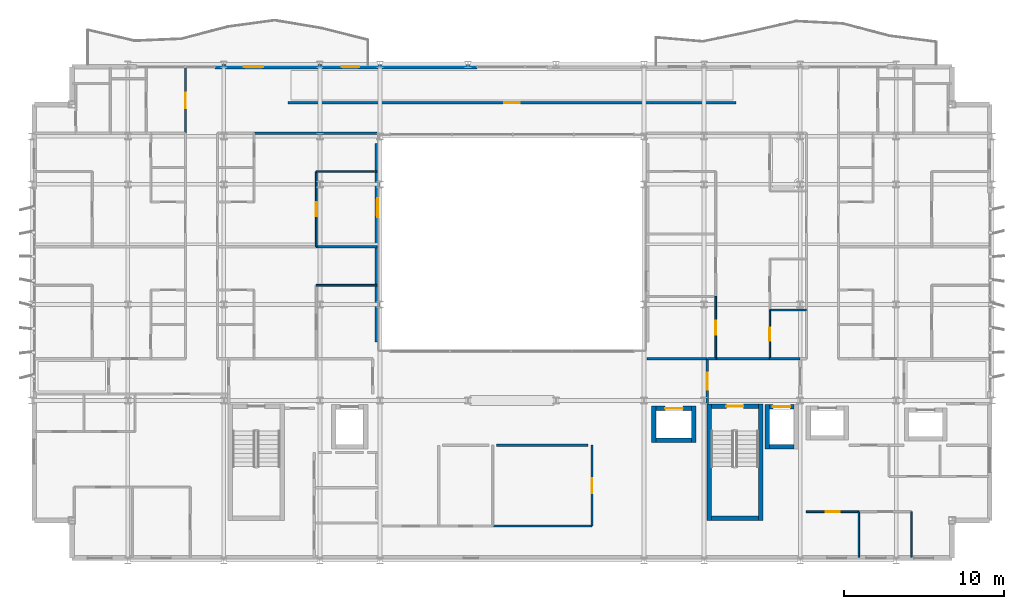
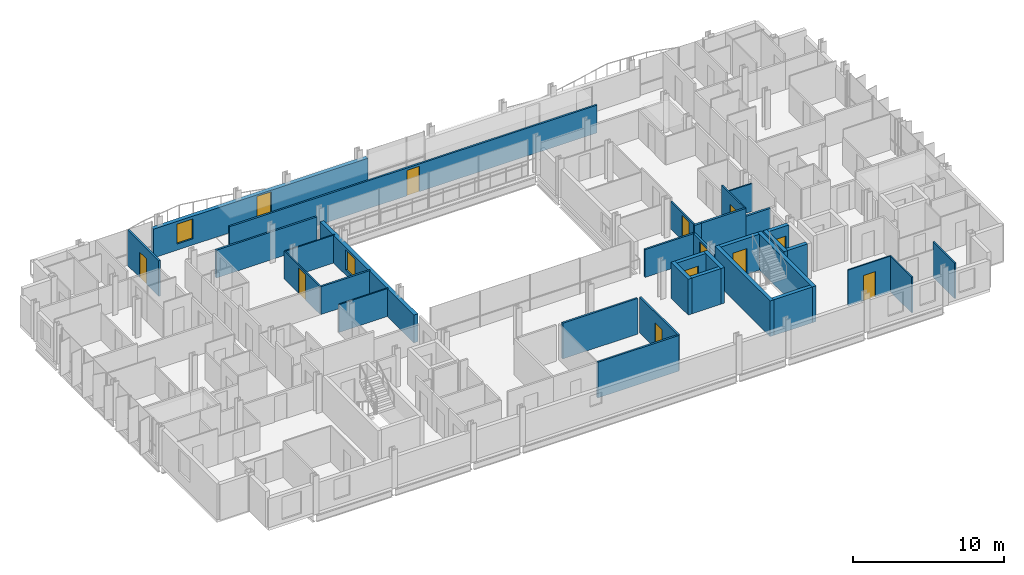
# One storey, part 30 of 39: 34 walls, 12 doors, 2 windows, 14 openings.
"""IFC4 building model written with IfcOpenShell, lengths in metres."""

from ifc_helpers import new_model, si_unit, direction, frame, frame_2d, origin, place, context, subcontext, project, spatial, rectangle, extrude, material, layer, layer_set, type_object, element, fill, save


model = new_model("IFC4")

# Units and contexts
model_context = context("Model", 3, precision=1e-05, world=origin(), true_north=direction((0.0, 1.0)))
body_context = subcontext(model_context, "Body", "Model", "MODEL_VIEW")
ifc_project = project(units=[si_unit("LENGTHUNIT", "METRE"), si_unit("AREAUNIT", "SQUARE_METRE"), si_unit("VOLUMEUNIT", "CUBIC_METRE"), si_unit("PLANEANGLEUNIT", "RADIAN"), si_unit("MASSUNIT", "GRAM", prefix="KILO")], contexts=[model_context])

# Site, building, storey
site_placement = place(None, origin())
site = spatial("IfcSite", under=ifc_project, at=site_placement, CompositionType="ELEMENT")
building_placement = place(site_placement, origin())
building = spatial("IfcBuilding", under=site, at=building_placement, Name="Brevholm Reach", CompositionType="ELEMENT")
storey_placement = place(building_placement, frame((0.0, 0.0, 109.699951171875)))
storey = spatial("IfcBuildingStorey", under=building, at=storey_placement, Name="L32", CompositionType="ELEMENT", Elevation=109.699951171875)

# Walls
ifc_material_1 = material(Name="Concrete C50/60", Category="concrete")
ifc_layer_1 = layer(ifc_material_1, 0.280029296875)
ifc_layer_set_1 = layer_set([ifc_layer_1], Name="Concrete C50/60")
wall_type_1 = type_object("IfcWallType", Name="WAL-COR-280", PredefinedType="SHEAR", material=ifc_layer_set_1)
for number, where, z_axis, x_axis, name in (
    (1, (42.31005859375, 2.5, 0.0), (0.0, 0.0, 1.0), (0.0, 1.0, 0.0), "L32 Escape Stair ST-2 Core Wall W"),
    (2, (45.5400390625, 2.5, 0.0), (0.0, 0.0, 1.0), (0.0, 1.0, 0.0), "L32 Escape Stair ST-2 Core Wall E"),
):
    element("IfcWall", number, at=place(storey_placement, frame(where, z_axis=z_axis, x_axis=x_axis)), inside=storey, type_object=wall_type_1, Name=name, PredefinedType="SHEAR", context=body_context, shape_type="SweptSolid", body=[
        extrude(rectangle(XDim=7.280029296875, YDim=0.280029296875, at=frame_2d((3.64013671875, 0.0))), origin(), (0.0, 0.0, 1.0), 2.880126953125),
    ])
wall_1_placement = place(storey_placement, frame((42.449951171875, 2.639892578125, 0.0), z_axis=(0.0, 0.0, 1.0), x_axis=(1.0, 0.0, 0.0)))
element("IfcWall", 3, at=wall_1_placement, inside=storey, type_object=wall_type_1, Name="L32 Escape Stair ST-2 Core Wall S", PredefinedType="SHEAR", context=body_context, shape_type="SweptSolid", body=[
    extrude(rectangle(XDim=2.949951171875, YDim=0.280029296875, at=frame_2d((1.47509765625, 0.0))), origin(), (0.0, 0.0, 1.0), 2.880126953125),
])

# Wall, opening, door
wall_2_placement = place(storey_placement, frame((45.39990234375, 9.639892578125, 0.0), z_axis=(0.0, 0.0, 1.0), x_axis=(-1.0, 0.0, 0.0)))
wall_2 = element("IfcWall", 4, at=wall_2_placement, inside=storey, type_object=wall_type_1, Name="L32 Escape Stair ST-2 Core Wall N", PredefinedType="SHEAR", context=body_context, shape_type="SweptSolid", body=[
    extrude(rectangle(XDim=2.949951171875, YDim=0.280029296875, at=frame_2d((1.47509765625, 0.0))), origin(), (0.0, 0.0, 1.0), 2.880126953125),
])
opening_1_placement = place(wall_2_placement, frame((0.949951171875, 0.0, 0.0)))
opening_1 = element("IfcOpeningElement", 5, at=opening_1_placement, cuts=wall_2, Name="Opening SD-ST-2", PredefinedType="OPENING", context=body_context, shape_type="SweptSolid", body=[
    extrude(rectangle(XDim=1.050048828125, YDim=2.06005859375, at=frame_2d((0.52490234375, 1.030029296875))), frame((0.0, 0.14990234375, 0.0), z_axis=(0.0, -1.0, 0.0), x_axis=(1.0, 0.0, 0.0)), (0.0, 0.0, 1.0), 0.300048828125),
])
ifc_material_2 = material(Name="Hardwood-Lipped Steel-Core Fire and Smoke Door", Category="steel")
door_type_1 = type_object("IfcDoorType", Name="DOR-INT-FD60S", OperationType="NOTDEFINED", PredefinedType="DOOR", material=ifc_material_2)
door_1_placement = place(opening_1_placement, origin())
door_1 = element("IfcDoor", 6, at=door_1_placement, inside=storey, type_object=door_type_1, Name="L32 Protected Stair ST-2 Lobby Door", OperationType="SINGLE_SWING_LEFT", OverallHeight=2.06005859375, OverallWidth=1.050048828125, PredefinedType="DOOR", context=body_context, shape_type="SweptSolid", body=[
    extrude(rectangle(XDim=1.050048828125, YDim=2.06005859375, at=frame_2d((0.52490234375, 1.030029296875))), frame((0.0, 0.02490234375, 0.0), z_axis=(0.0, -1.0, 0.0), x_axis=(1.0, 0.0, 0.0)), (0.0, 0.0, 1.0), 0.050048828125),
])
fill(opening_1, door_1)

# Walls
wall_3_placement = place(storey_placement, frame((45.949951171875, 6.9599609375, 0.0), z_axis=(0.0, 0.0, 1.0), x_axis=(0.0, 1.0, 0.0)))
element("IfcWall", 7, at=wall_3_placement, inside=storey, type_object=wall_type_1, Name="L32 Lift FFL-2 Shaft Wall W", PredefinedType="SHEAR", context=body_context, shape_type="SweptSolid", body=[
    extrude(rectangle(XDim=2.780029296875, YDim=0.280029296875, at=frame_2d((1.39013671875, 0.0))), origin(), (0.0, 0.0, 1.0), 2.880126953125),
])
wall_4_placement = place(storey_placement, frame((46.090087890625, 7.10009765625, 0.0), z_axis=(0.0, 0.0, 1.0), x_axis=(1.0, 0.0, 0.0)))
element("IfcWall", 8, at=wall_4_placement, inside=storey, type_object=wall_type_1, Name="L32 Lift FFL-2 Shaft Wall S", PredefinedType="SHEAR", context=body_context, shape_type="SweptSolid", body=[
    extrude(rectangle(XDim=1.52001953125, YDim=0.280029296875, at=frame_2d((0.760009765625, 0.0))), origin(), (0.0, 0.0, 1.0), 2.880126953125),
])

# Wall, opening, door
wall_5_placement = place(storey_placement, frame((46.090087890625, 9.60009765625, 0.0), z_axis=(0.0, 0.0, 1.0), x_axis=(1.0, 0.0, 0.0)))
wall_5 = element("IfcWall", 9, at=wall_5_placement, inside=storey, type_object=wall_type_1, Name="L32 Lift FFL-2 Shaft Wall N", PredefinedType="SHEAR", context=body_context, shape_type="SweptSolid", body=[
    extrude(rectangle(XDim=1.52001953125, YDim=0.280029296875, at=frame_2d((0.760009765625, 0.0))), origin(), (0.0, 0.0, 1.0), 2.880126953125),
])
opening_2_placement = place(wall_5_placement, frame((0.2099609375, 0.0, 0.0)))
opening_2 = element("IfcOpeningElement", 10, at=opening_2_placement, cuts=wall_5, Name="Opening LD-FFL-2", PredefinedType="OPENING", context=body_context, shape_type="SweptSolid", body=[
    extrude(rectangle(XDim=1.10009765625, YDim=2.06005859375, at=frame_2d((0.550048828125, 1.030029296875))), frame((0.0, 0.14990234375, 0.0), z_axis=(0.0, -1.0, 0.0), x_axis=(1.0, 0.0, 0.0)), (0.0, 0.0, 1.0), 0.300048828125),
])
ifc_material_3 = material(Name="Brushed Stainless Steel Fire-Rated Sliding Lift Door", Category="steel")
door_type_2 = type_object("IfcDoorType", Name="DOR-LFT-1100", OperationType="NOTDEFINED", PredefinedType="DOOR", material=ifc_material_3)
door_2_placement = place(opening_2_placement, origin())
door_2 = element("IfcDoor", 11, at=door_2_placement, inside=storey, type_object=door_type_2, Name="L32 Lift FFL-2 Sliding Landing Door", OperationType="SLIDING_TO_LEFT", OverallHeight=2.06005859375, OverallWidth=1.10009765625, PredefinedType="DOOR", context=body_context, shape_type="SweptSolid", body=[
    extrude(rectangle(XDim=1.10009765625, YDim=2.06005859375, at=frame_2d((0.550048828125, 1.030029296875))), frame((0.0, 0.02490234375, 0.0), z_axis=(0.0, -1.0, 0.0), x_axis=(1.0, 0.0, 0.0)), (0.0, 0.0, 1.0), 0.050048828125),
])
fill(opening_2, door_2)

# Walls
for number, where, z_axis, x_axis, name in (
    (12, (38.8701171875, 7.360107421875, 0.0), (0.0, 0.0, 1.0), (0.0, 1.0, 0.0), "L32 Lift PL-S1 Shaft Wall W"),
    (13, (41.3701171875, 7.360107421875, 0.0), (0.0, 0.0, 1.0), (0.0, 1.0, 0.0), "L32 Lift PL-S1 Shaft Wall E"),
):
    element("IfcWall", number, at=place(storey_placement, frame(where, z_axis=z_axis, x_axis=x_axis)), inside=storey, type_object=wall_type_1, Name=name, PredefinedType="SHEAR", context=body_context, shape_type="SweptSolid", body=[
        extrude(rectangle(XDim=2.27978515625, YDim=0.280029296875, at=frame_2d((1.139892578125, 0.0))), origin(), (0.0, 0.0, 1.0), 2.880126953125),
    ])
wall_6_placement = place(storey_placement, frame((39.010009765625, 7.5, 0.0), z_axis=(0.0, 0.0, 1.0), x_axis=(1.0, 0.0, 0.0)))
element("IfcWall", 14, at=wall_6_placement, inside=storey, type_object=wall_type_1, Name="L32 Lift PL-S1 Shaft Wall S", PredefinedType="SHEAR", context=body_context, shape_type="SweptSolid", body=[
    extrude(rectangle(XDim=2.219970703125, YDim=0.280029296875, at=frame_2d((1.10986328125, 0.0))), origin(), (0.0, 0.0, 1.0), 2.880126953125),
])

# Wall, opening, door
wall_7_placement = place(storey_placement, frame((39.010009765625, 9.5, 0.0), z_axis=(0.0, 0.0, 1.0), x_axis=(1.0, 0.0, 0.0)))
wall_7 = element("IfcWall", 15, at=wall_7_placement, inside=storey, type_object=wall_type_1, Name="L32 Lift PL-S1 Shaft Wall N", PredefinedType="SHEAR", context=body_context, shape_type="SweptSolid", body=[
    extrude(rectangle(XDim=2.219970703125, YDim=0.280029296875, at=frame_2d((1.10986328125, 0.0))), origin(), (0.0, 0.0, 1.0), 2.880126953125),
])
opening_3_placement = place(wall_7_placement, frame((0.56005859375, 0.0, 0.0)))
opening_3 = element("IfcOpeningElement", 16, at=opening_3_placement, cuts=wall_7, Name="Opening LD-PL-S1", PredefinedType="OPENING", context=body_context, shape_type="SweptSolid", body=[
    extrude(rectangle(XDim=1.10009765625, YDim=2.06005859375, at=frame_2d((0.550048828125, 1.030029296875))), frame((0.0, 0.14990234375, 0.0), z_axis=(0.0, -1.0, 0.0), x_axis=(1.0, 0.0, 0.0)), (0.0, 0.0, 1.0), 0.300048828125),
])
door_3_placement = place(opening_3_placement, origin())
door_3 = element("IfcDoor", 17, at=door_3_placement, inside=storey, type_object=door_type_2, Name="L32 Lift PL-S1 Sliding Landing Door", OperationType="SLIDING_TO_RIGHT", OverallHeight=2.06005859375, OverallWidth=1.10009765625, PredefinedType="DOOR", context=body_context, shape_type="SweptSolid", body=[
    extrude(rectangle(XDim=1.10009765625, YDim=2.06005859375, at=frame_2d((0.550048828125, 1.030029296875))), frame((0.0, 0.02490234375, 0.0), z_axis=(0.0, -1.0, 0.0), x_axis=(1.0, 0.0, 0.0)), (0.0, 0.0, 1.0), 0.050048828125),
])
fill(opening_3, door_3)

# Wall, openings, door, window
ifc_material_4 = material(Name="Concrete C40/50", Category="concrete")
ifc_layer_2 = layer(ifc_material_4, 0.300048828125)
ifc_layer_set_2 = layer_set([ifc_layer_2], Name="Concrete C40/50")
wall_type_2 = type_object("IfcWallType", Name="WAL-EXT-300", PredefinedType="STANDARD", material=ifc_layer_set_2)
wall_8_placement = place(storey_placement, frame((11.449951171875, 30.85009765625, 0.0), z_axis=(0.0, 0.0, 1.0), x_axis=(1.0, 0.0, 0.0)))
wall_8 = element("IfcWall", 18, at=wall_8_placement, inside=storey, type_object=wall_type_2, Name="L32 Facade Wall WAL-L32-NP-WL", PredefinedType="STANDARD", context=body_context, shape_type="SweptSolid", body=[
    extrude(rectangle(XDim=16.35009765625, YDim=0.300048828125, at=frame_2d((8.175048828125, 0.0))), origin(), (0.0, 0.0, 1.0), 2.322021484375),
])
opening_4_placement = place(wall_8_placement, frame((7.89794921875, 0.0, 0.0)))
opening_4 = element("IfcOpeningElement", 19, at=opening_4_placement, cuts=wall_8, Name="Opening BD-01", PredefinedType="OPENING", context=body_context, shape_type="SweptSolid", body=[
    extrude(rectangle(XDim=1.10009765625, YDim=2.199951171875, at=frame_2d((0.550048828125, 1.10009765625))), frame((0.0, 0.159912109375, 0.0), z_axis=(0.0, -1.0, 0.0), x_axis=(1.0, 0.0, 0.0)), (0.0, 0.0, 1.0), 0.320068359375),
])
opening_5_placement = place(wall_8_placement, frame((1.800048828125, 0.0, 0.501953125)))
opening_5 = element("IfcOpeningElement", 20, at=opening_5_placement, cuts=wall_8, Name="Opening WN-08", PredefinedType="OPENING", context=body_context, shape_type="SweptSolid", body=[
    extrude(rectangle(XDim=1.199951171875, YDim=1.60009765625, at=frame_2d((0.60009765625, 0.800048828125))), frame((0.0, 0.159912109375, 0.0), z_axis=(0.0, -1.0, 0.0), x_axis=(1.0, 0.0, 0.0)), (0.0, 0.0, 1.0), 0.320068359375),
])
ifc_material_5 = material(Name="Dark Anodised Aluminium and Triple-Glazed Glass", Category="aluminium")
door_type_3 = type_object("IfcDoorType", Name="DOR-BALC-1100", OperationType="NOTDEFINED", PredefinedType="DOOR", material=ifc_material_5)
door_4_placement = place(opening_4_placement, origin())
door_4 = element("IfcDoor", 21, at=door_4_placement, inside=storey, type_object=door_type_3, Name="L32 Exterior Door DOR-L32-BL-NW", OperationType="SINGLE_SWING_LEFT", OverallHeight=2.199951171875, OverallWidth=1.10009765625, PredefinedType="DOOR", context=body_context, shape_type="SweptSolid", body=[
    extrude(rectangle(XDim=1.10009765625, YDim=2.199951171875, at=frame_2d((0.550048828125, 1.10009765625))), frame((0.0, 0.02490234375, 0.0), z_axis=(0.0, -1.0, 0.0), x_axis=(1.0, 0.0, 0.0)), (0.0, 0.0, 1.0), 0.050048828125),
])
fill(opening_4, door_4)
ifc_material_6 = material(Name="Dark Anodised Aluminium and Solar-Control IGU Glass", Category="aluminium")
window_type = type_object("IfcWindowType", Name="WIN-RES-1200", PartitioningType="SINGLE_PANEL", PredefinedType="WINDOW", material=ifc_material_6)
window_1_placement = place(opening_5_placement, origin())
window_1 = element("IfcWindow", 22, at=window_1_placement, inside=storey, type_object=window_type, Name="L32 Window WIN-L32-NP-WL1", OverallHeight=1.60009765625, OverallWidth=1.199951171875, PartitioningType="SINGLE_PANEL", PredefinedType="WINDOW", context=body_context, shape_type="SweptSolid", body=[
    extrude(rectangle(XDim=1.199951171875, YDim=1.60009765625, at=frame_2d((0.60009765625, 0.800048828125))), frame((0.0, 0.030029296875, 0.0), z_axis=(0.0, -1.0, 0.0), x_axis=(1.0, 0.0, 0.0)), (0.0, 0.0, 1.0), 0.06005859375),
])
fill(opening_5, window_1)

# Wall, opening, window
wall_9_placement = place(storey_placement, frame((21.60009765625, 26.050048828125, 0.0), z_axis=(0.0, 0.0, 1.0), x_axis=(0.0, -1.0, 0.0)))
wall_9 = element("IfcWall", 23, at=wall_9_placement, inside=storey, type_object=wall_type_2, Name="L32 Facade Wall WAL-L32-AT-W", PredefinedType="STANDARD", context=body_context, shape_type="SweptSolid", body=[
    extrude(rectangle(XDim=12.400146484375, YDim=0.300048828125, at=frame_2d((6.2001953125, 0.0))), origin(), (0.0, 0.0, 1.0), 2.242919921875),
])
opening_6_placement = place(wall_9_placement, frame((3.39990234375, 0.0, 0.423095703125)))
opening_6 = element("IfcOpeningElement", 24, at=opening_6_placement, cuts=wall_9, Name="Opening WN-08", PredefinedType="OPENING", context=body_context, shape_type="SweptSolid", body=[
    extrude(rectangle(XDim=1.199951171875, YDim=1.60009765625, at=frame_2d((0.60009765625, 0.800048828125))), frame((0.0, 0.159912109375, 0.0), z_axis=(0.0, -1.0, 0.0), x_axis=(1.0, 0.0, 0.0)), (0.0, 0.0, 1.0), 0.320068359375),
])
window_2_placement = place(opening_6_placement, origin())
window_2 = element("IfcWindow", 25, at=window_2_placement, inside=storey, type_object=window_type, Name="L32 Window WIN-L32-AT-W1", OverallHeight=1.60009765625, OverallWidth=1.199951171875, PartitioningType="SINGLE_PANEL", PredefinedType="WINDOW", context=body_context, shape_type="SweptSolid", body=[
    extrude(rectangle(XDim=1.199951171875, YDim=1.60009765625, at=frame_2d((0.60009765625, 0.800048828125))), frame((0.0, 0.030029296875, 0.0), z_axis=(0.0, -1.0, 0.0), x_axis=(1.0, 0.0, 0.0)), (0.0, 0.0, 1.0), 0.06005859375),
])
fill(opening_6, window_2)

# Wall
ifc_material_7 = material(Name="Moisture-Resistant Acoustic Gypsum Stud Partition 100 mm", Category="gypsum")
ifc_layer_3 = layer(ifc_material_7, 0.10009765625)
ifc_layer_set_3 = layer_set([ifc_layer_3], Name="Moisture-Resistant Acoustic Gypsum Stud Partition 100 mm")
wall_type_3 = type_object("IfcWallType", Name="WAL-PRT-100", PredefinedType="PARTITIONING", material=ifc_layer_set_3)
wall_10_placement = place(storey_placement, frame((51.675048828125, 0.199951171875, 0.0), z_axis=(0.0, 0.0, 1.0), x_axis=(0.0, 1.0, 0.0)))
element("IfcWall", 26, at=wall_10_placement, inside=storey, type_object=wall_type_3, Name="L32 Internal Partition 088", PredefinedType="PARTITIONING", context=body_context, shape_type="SweptSolid", body=[
    extrude(rectangle(XDim=2.85009765625, YDim=0.10009765625, at=frame_2d((1.425048828125, 0.0))), origin(), (0.0, 0.0, 1.0), 2.880126953125),
])

# Wall, opening, door
wall_11_placement = place(storey_placement, frame((48.39990234375, 3.050048828125, 0.0), z_axis=(0.0, 0.0, 1.0), x_axis=(1.0, 0.0, 0.0)))
wall_11 = element("IfcWall", 27, at=wall_11_placement, inside=storey, type_object=wall_type_3, Name="L32 Internal Partition 089", PredefinedType="PARTITIONING", context=body_context, shape_type="SweptSolid", body=[
    extrude(rectangle(XDim=3.275146484375, YDim=0.10009765625, at=frame_2d((1.6376953125, 0.0))), origin(), (0.0, 0.0, 1.0), 2.880126953125),
])
opening_7_placement = place(wall_11_placement, frame((1.197509765625, 0.0, 0.0)))
opening_7 = element("IfcOpeningElement", 28, at=opening_7_placement, cuts=wall_11, Name="Opening ID-01", PredefinedType="OPENING", context=body_context, shape_type="SweptSolid", body=[
    extrude(rectangle(XDim=0.8798828125, YDim=2.0400390625, at=frame_2d((0.43994140625, 1.02001953125))), frame((0.0, 0.06005859375, 0.0), z_axis=(0.0, -1.0, 0.0), x_axis=(1.0, 0.0, 0.0)), (0.0, 0.0, 1.0), 0.1201171875),
])
ifc_material_8 = material(Name="Lacquered Ash Solid-Core Acoustic Internal Door", Category="timber")
door_type_4 = type_object("IfcDoorType", Name="DOR-INT-880", OperationType="NOTDEFINED", PredefinedType="DOOR", material=ifc_material_8)
door_5_placement = place(opening_7_placement, origin())
door_5 = element("IfcDoor", 29, at=door_5_placement, inside=storey, type_object=door_type_4, Name="L32 Internal Door 032", OperationType="SINGLE_SWING_RIGHT", OverallHeight=2.0400390625, OverallWidth=0.8798828125, PredefinedType="DOOR", context=body_context, shape_type="SweptSolid", body=[
    extrude(rectangle(XDim=0.8798828125, YDim=2.0400390625, at=frame_2d((0.43994140625, 1.02001953125))), frame((0.0, 0.02490234375, 0.0), z_axis=(0.0, -1.0, 0.0), x_axis=(1.0, 0.0, 0.0)), (0.0, 0.0, 1.0), 0.050048828125),
])
fill(opening_7, door_5)

# Walls
wall_12_placement = place(storey_placement, frame((54.949951171875, 0.199951171875, 0.0), z_axis=(0.0, 0.0, 1.0), x_axis=(0.0, 1.0, 0.0)))
element("IfcWall", 30, at=wall_12_placement, inside=storey, type_object=wall_type_3, Name="L32 Internal Partition 090", PredefinedType="PARTITIONING", context=body_context, shape_type="SweptSolid", body=[
    extrude(rectangle(XDim=2.85009765625, YDim=0.10009765625, at=frame_2d((1.425048828125, 0.0))), origin(), (0.0, 0.0, 1.0), 2.880126953125),
])
for number, where, z_axis, x_axis, name in (
    (31, (17.76904296875, 17.199951171875, 0.0), (0.0, 0.0, 1.0), (1.0, 0.0, 0.0), "L32 Internal Partition 115"),
    (32, (17.76904296875, 24.300048828125, 0.0), (0.0, 0.0, 1.0), (1.0, 0.0, 0.0), "L32 Internal Partition 123"),
):
    element("IfcWall", number, at=place(storey_placement, frame(where, z_axis=z_axis, x_axis=x_axis)), inside=storey, type_object=wall_type_3, Name=name, PredefinedType="PARTITIONING", context=body_context, shape_type="SweptSolid", body=[
        extrude(rectangle(XDim=3.781005859375, YDim=0.10009765625, at=frame_2d((1.890625, 0.0))), origin(), (0.0, 0.0, 1.0), 2.242919921875),
    ])

# Wall, opening, door
wall_13_placement = place(storey_placement, frame((17.76904296875, 19.60400390625, 0.0), z_axis=(0.0, 0.0, 1.0), x_axis=(0.0, 1.0, 0.0)))
wall_13 = element("IfcWall", 33, at=wall_13_placement, inside=storey, type_object=wall_type_3, Name="L32 Internal Partition 124", PredefinedType="PARTITIONING", context=body_context, shape_type="SweptSolid", body=[
    extrude(rectangle(XDim=4.696044921875, YDim=0.10009765625, at=frame_2d((2.34814453125, 0.0))), origin(), (0.0, 0.0, 1.0), 2.242919921875),
])
opening_8_placement = place(wall_13_placement, frame((1.907958984375, 0.0, 0.0)))
opening_8 = element("IfcOpeningElement", 34, at=opening_8_placement, cuts=wall_13, Name="Opening ID-01", PredefinedType="OPENING", context=body_context, shape_type="SweptSolid", body=[
    extrude(rectangle(XDim=0.8798828125, YDim=2.0400390625, at=frame_2d((0.43994140625, 1.02001953125))), frame((0.0, 0.06005859375, 0.0), z_axis=(0.0, -1.0, 0.0), x_axis=(1.0, 0.0, 0.0)), (0.0, 0.0, 1.0), 0.1201171875),
])
door_6_placement = place(opening_8_placement, origin())
door_6 = element("IfcDoor", 35, at=door_6_placement, inside=storey, type_object=door_type_4, Name="L32 Internal Door 045", OperationType="SINGLE_SWING_LEFT", OverallHeight=2.0400390625, OverallWidth=0.8798828125, PredefinedType="DOOR", context=body_context, shape_type="SweptSolid", body=[
    extrude(rectangle(XDim=0.8798828125, YDim=2.0400390625, at=frame_2d((0.43994140625, 1.02001953125))), frame((0.0, 0.02490234375, 0.0), z_axis=(0.0, -1.0, 0.0), x_axis=(1.0, 0.0, 0.0)), (0.0, 0.0, 1.0), 0.050048828125),
])
fill(opening_8, door_6)

# Wall
wall_14_placement = place(storey_placement, frame((46.112060546875, 15.64990234375, 0.0), z_axis=(0.0, 0.0, 1.0), x_axis=(1.0, 0.0, 0.0)))
element("IfcWall", 36, at=wall_14_placement, inside=storey, type_object=wall_type_3, Name="L32 Internal Partition 125", PredefinedType="PARTITIONING", context=body_context, shape_type="SweptSolid", body=[
    extrude(rectangle(XDim=2.283935546875, YDim=0.10009765625, at=frame_2d((1.14208984375, 0.0))), origin(), (0.0, 0.0, 1.0), 2.242919921875),
])

# Wall, opening, door
wall_15_placement = place(storey_placement, frame((46.112060546875, 12.60400390625, 0.0), z_axis=(0.0, 0.0, 1.0), x_axis=(0.0, 1.0, 0.0)))
wall_15 = element("IfcWall", 37, at=wall_15_placement, inside=storey, type_object=wall_type_3, Name="L32 Internal Partition 126", PredefinedType="PARTITIONING", context=body_context, shape_type="SweptSolid", body=[
    extrude(rectangle(XDim=3.0458984375, YDim=0.10009765625, at=frame_2d((1.52294921875, 0.0))), origin(), (0.0, 0.0, 1.0), 2.880126953125),
])
opening_9_placement = place(wall_15_placement, frame((1.113037109375, 0.0, 0.0)))
opening_9 = element("IfcOpeningElement", 38, at=opening_9_placement, cuts=wall_15, Name="Opening ID-03", PredefinedType="OPENING", context=body_context, shape_type="SweptSolid", body=[
    extrude(rectangle(XDim=0.820068359375, YDim=2.02001953125, at=frame_2d((0.41015625, 1.010009765625))), frame((0.0, 0.06005859375, 0.0), z_axis=(0.0, -1.0, 0.0), x_axis=(1.0, 0.0, 0.0)), (0.0, 0.0, 1.0), 0.1201171875),
])
ifc_material_9 = material(Name="Moisture-Resistant Painted Timber Internal Bathroom Door", Category="wood")
door_type_5 = type_object("IfcDoorType", Name="DOR-BATH-820", OperationType="NOTDEFINED", PredefinedType="DOOR", material=ifc_material_9)
door_7_placement = place(opening_9_placement, origin())
door_7 = element("IfcDoor", 39, at=door_7_placement, inside=storey, type_object=door_type_5, Name="L32 Internal Door 046", OperationType="SINGLE_SWING_RIGHT", OverallHeight=2.02001953125, OverallWidth=0.820068359375, PredefinedType="DOOR", context=body_context, shape_type="SweptSolid", body=[
    extrude(rectangle(XDim=0.820068359375, YDim=2.02001953125, at=frame_2d((0.41015625, 1.010009765625))), frame((0.0, 0.02490234375, 0.0), z_axis=(0.0, -1.0, 0.0), x_axis=(1.0, 0.0, 0.0)), (0.0, 0.0, 1.0), 0.050048828125),
])
fill(opening_9, door_7)

wall_16_placement = place(storey_placement, frame((42.72802734375, 12.60400390625, 0.0), z_axis=(0.0, 0.0, 1.0), x_axis=(0.0, 1.0, 0.0)))
wall_16 = element("IfcWall", 40, at=wall_16_placement, inside=storey, type_object=wall_type_3, Name="L32 Internal Partition 132", PredefinedType="PARTITIONING", context=body_context, shape_type="SweptSolid", body=[
    extrude(rectangle(XDim=3.89599609375, YDim=0.10009765625, at=frame_2d((1.947998046875, 0.0))), origin(), (0.0, 0.0, 1.0), 2.242919921875),
])
opening_10_placement = place(wall_16_placement, frame((1.508056640625, 0.0, 0.0)))
opening_10 = element("IfcOpeningElement", 41, at=opening_10_placement, cuts=wall_16, Name="Opening ID-01", PredefinedType="OPENING", context=body_context, shape_type="SweptSolid", body=[
    extrude(rectangle(XDim=0.8798828125, YDim=2.0400390625, at=frame_2d((0.43994140625, 1.02001953125))), frame((0.0, 0.06005859375, 0.0), z_axis=(0.0, -1.0, 0.0), x_axis=(1.0, 0.0, 0.0)), (0.0, 0.0, 1.0), 0.1201171875),
])
door_8_placement = place(opening_10_placement, origin())
door_8 = element("IfcDoor", 42, at=door_8_placement, inside=storey, type_object=door_type_4, Name="L32 Internal Door 049", OperationType="SINGLE_SWING_LEFT", OverallHeight=2.0400390625, OverallWidth=0.8798828125, PredefinedType="DOOR", context=body_context, shape_type="SweptSolid", body=[
    extrude(rectangle(XDim=0.8798828125, YDim=2.0400390625, at=frame_2d((0.43994140625, 1.02001953125))), frame((0.0, 0.02490234375, 0.0), z_axis=(0.0, -1.0, 0.0), x_axis=(1.0, 0.0, 0.0)), (0.0, 0.0, 1.0), 0.050048828125),
])
fill(opening_10, door_8)

ifc_material_10 = material(Name="Twin-Stud Acoustic Fire-Rated Gypsum Partition 140 mm", Category="gypsum")
ifc_layer_4 = layer(ifc_material_10, 0.139892578125)
ifc_layer_set_4 = layer_set([ifc_layer_4], Name="Twin-Stud Acoustic Fire-Rated Gypsum Partition 140 mm")
wall_type_4 = type_object("IfcWallType", Name="WAL-PRT-140", PredefinedType="PARTITIONING", material=ifc_layer_set_4)
wall_17_placement = place(storey_placement, frame((35.0, 2.142578125, 0.0), z_axis=(0.0, 0.0, 1.0), x_axis=(0.0, 1.0, 0.0)))
wall_17 = element("IfcWall", 43, at=wall_17_placement, inside=storey, type_object=wall_type_4, Name="L32 Internal Partition 001", PredefinedType="PARTITIONING", context=body_context, shape_type="SweptSolid", body=[
    extrude(rectangle(XDim=5.068603515625, YDim=0.139892578125, at=frame_2d((2.5341796875, 0.0))), origin(), (0.0, 0.0, 1.0), 2.880126953125),
])
opening_11_placement = place(wall_17_placement, frame((2.059326171875, 0.0, 0.0)))
opening_11 = element("IfcOpeningElement", 44, at=opening_11_placement, cuts=wall_17, Name="Opening ID-30", PredefinedType="OPENING", context=body_context, shape_type="SweptSolid", body=[
    extrude(rectangle(XDim=0.949951171875, YDim=2.050048828125, at=frame_2d((0.47509765625, 1.02490234375))), frame((0.0, 0.079833984375, 0.0), z_axis=(0.0, -1.0, 0.0), x_axis=(1.0, 0.0, 0.0)), (0.0, 0.0, 1.0), 0.159912109375),
])
ifc_material_11 = material(Name="European Oak Veneered Solid-Core Fire Entrance Door", Category="timber")
door_type_6 = type_object("IfcDoorType", Name="DOR-FLT-FD30S", OperationType="NOTDEFINED", PredefinedType="DOOR", material=ifc_material_11)
door_9_placement = place(opening_11_placement, origin())
door_9 = element("IfcDoor", 45, at=door_9_placement, inside=storey, type_object=door_type_6, Name="L32 Internal Door 001", OperationType="SINGLE_SWING_LEFT", OverallHeight=2.050048828125, OverallWidth=0.949951171875, PredefinedType="DOOR", context=body_context, shape_type="SweptSolid", body=[
    extrude(rectangle(XDim=0.949951171875, YDim=2.050048828125, at=frame_2d((0.47509765625, 1.02490234375))), frame((0.0, 0.02490234375, 0.0), z_axis=(0.0, -1.0, 0.0), x_axis=(1.0, 0.0, 0.0)), (0.0, 0.0, 1.0), 0.050048828125),
])
fill(opening_11, door_9)

# Walls
wall_18_placement = place(storey_placement, frame((28.792724609375, 2.14990234375, 0.0), z_axis=(0.0, 0.0, 1.0), x_axis=(1.0, 0.0, 0.0)))
element("IfcWall", 46, at=wall_18_placement, inside=storey, type_object=wall_type_4, Name="L32 Internal Partition 004", PredefinedType="PARTITIONING", context=body_context, shape_type="SweptSolid", body=[
    extrude(rectangle(XDim=6.203369140625, YDim=0.139892578125, at=frame_2d((3.1015625, 0.0))), origin(), (0.0, 0.0, 1.0), 2.880126953125),
])
wall_19_placement = place(storey_placement, frame((38.438720703125, 12.60009765625, 0.0), z_axis=(0.0, 0.0, 1.0), x_axis=(1.0, 0.0, 0.0)))
element("IfcWall", 47, at=wall_19_placement, inside=storey, type_object=wall_type_4, Name="L32 Internal Partition 035", PredefinedType="PARTITIONING", context=body_context, shape_type="SweptSolid", body=[
    extrude(rectangle(XDim=3.75732421875, YDim=0.139892578125, at=frame_2d((1.878662109375, 0.0))), origin(), (0.0, 0.0, 1.0), 2.242919921875),
])

# Wall, opening, door
wall_20_placement = place(storey_placement, frame((9.60009765625, 26.692626953125, 0.0), z_axis=(0.0, 0.0, 1.0), x_axis=(0.0, 1.0, 0.0)))
wall_20 = element("IfcWall", 48, at=wall_20_placement, inside=storey, type_object=wall_type_4, Name="L32 Internal Partition 050", PredefinedType="PARTITIONING", context=body_context, shape_type="SweptSolid", body=[
    extrude(rectangle(XDim=4.107421875, YDim=0.139892578125, at=frame_2d((2.0537109375, 0.0))), origin(), (0.0, 0.0, 1.0), 2.880126953125),
])
opening_12_placement = place(wall_20_placement, frame((1.57861328125, 0.0, 0.0)))
opening_12 = element("IfcOpeningElement", 49, at=opening_12_placement, cuts=wall_20, Name="Opening ID-30", PredefinedType="OPENING", context=body_context, shape_type="SweptSolid", body=[
    extrude(rectangle(XDim=0.949951171875, YDim=2.050048828125, at=frame_2d((0.47509765625, 1.02490234375))), frame((0.0, 0.079833984375, 0.0), z_axis=(0.0, -1.0, 0.0), x_axis=(1.0, 0.0, 0.0)), (0.0, 0.0, 1.0), 0.159912109375),
])
door_10_placement = place(opening_12_placement, origin())
door_10 = element("IfcDoor", 50, at=door_10_placement, inside=storey, type_object=door_type_6, Name="L32 Internal Door 021", OperationType="SINGLE_SWING_LEFT", OverallHeight=2.050048828125, OverallWidth=0.949951171875, PredefinedType="DOOR", context=body_context, shape_type="SweptSolid", body=[
    extrude(rectangle(XDim=0.949951171875, YDim=2.050048828125, at=frame_2d((0.47509765625, 1.02490234375))), frame((0.0, 0.02490234375, 0.0), z_axis=(0.0, -1.0, 0.0), x_axis=(1.0, 0.0, 0.0)), (0.0, 0.0, 1.0), 0.050048828125),
])
fill(opening_12, door_10)

# Wall
wall_21_placement = place(storey_placement, frame((13.881591796875, 26.699951171875, 0.0), z_axis=(0.0, 0.0, 1.0), x_axis=(1.0, 0.0, 0.0)))
element("IfcWall", 51, at=wall_21_placement, inside=storey, type_object=wall_type_4, Name="L32 Internal Partition 063", PredefinedType="PARTITIONING", context=body_context, shape_type="SweptSolid", body=[
    extrude(rectangle(XDim=7.6796875, YDim=0.139892578125, at=frame_2d((3.83984375, 0.0))), origin(), (0.0, 0.0, 1.0), 2.242919921875),
])

# Wall, opening, door
wall_22_placement = place(storey_placement, frame((15.98876953125, 28.60009765625, 0.0), z_axis=(0.0, 0.0, 1.0), x_axis=(1.0, 0.0, 0.0)))
wall_22 = element("IfcWall", 52, at=wall_22_placement, inside=storey, type_object=wall_type_4, Name="L32 Internal Partition 066", PredefinedType="PARTITIONING", context=body_context, shape_type="SweptSolid", body=[
    extrude(rectangle(XDim=28.0224609375, YDim=0.139892578125, at=frame_2d((14.01123046875, 0.0))), origin(), (0.0, 0.0, 1.0), 2.242919921875),
])
opening_13_placement = place(wall_22_placement, frame((13.536376953125, 0.0, 0.0)))
opening_13 = element("IfcOpeningElement", 53, at=opening_13_placement, cuts=wall_22, Name="Opening ID-30", PredefinedType="OPENING", context=body_context, shape_type="SweptSolid", body=[
    extrude(rectangle(XDim=0.949951171875, YDim=2.050048828125, at=frame_2d((0.47509765625, 1.02490234375))), frame((0.0, 0.079833984375, 0.0), z_axis=(0.0, -1.0, 0.0), x_axis=(1.0, 0.0, 0.0)), (0.0, 0.0, 1.0), 0.159912109375),
])
door_11_placement = place(opening_13_placement, origin())
door_11 = element("IfcDoor", 54, at=door_11_placement, inside=storey, type_object=door_type_6, Name="L32 Internal Door 025", OperationType="SINGLE_SWING_LEFT", OverallHeight=2.050048828125, OverallWidth=0.949951171875, PredefinedType="DOOR", context=body_context, shape_type="SweptSolid", body=[
    extrude(rectangle(XDim=0.949951171875, YDim=2.050048828125, at=frame_2d((0.47509765625, 1.02490234375))), frame((0.0, 0.02490234375, 0.0), z_axis=(0.0, -1.0, 0.0), x_axis=(1.0, 0.0, 0.0)), (0.0, 0.0, 1.0), 0.050048828125),
])
fill(opening_13, door_11)

# Walls
wall_23_placement = place(storey_placement, frame((17.7578125, 19.60009765625, 0.0), z_axis=(0.0, 0.0, 1.0), x_axis=(1.0, 0.0, 0.0)))
element("IfcWall", 55, at=wall_23_placement, inside=storey, type_object=wall_type_4, Name="L32 Internal Partition 117", PredefinedType="PARTITIONING", context=body_context, shape_type="SweptSolid", body=[
    extrude(rectangle(XDim=3.792236328125, YDim=0.139892578125, at=frame_2d((1.89599609375, 0.0))), origin(), (0.0, 0.0, 1.0), 2.242919921875),
])
wall_24_placement = place(storey_placement, frame((29.0400390625, 7.199951171875, 0.0), z_axis=(0.0, 0.0, 1.0), x_axis=(1.0, 0.0, 0.0)))
element("IfcWall", 56, at=wall_24_placement, inside=storey, type_object=wall_type_4, Name="L32 Internal Partition 169", PredefinedType="PARTITIONING", context=body_context, shape_type="SweptSolid", body=[
    extrude(rectangle(XDim=5.719970703125, YDim=0.139892578125, at=frame_2d((2.85986328125, 0.0))), origin(), (0.0, 0.0, 1.0), 2.880126953125),
])

# Wall, opening, door
ifc_material_12 = material(Name="Twin-Frame Fire-Rated Gypsum Board and Mineral Wool 160 mm", Category="gypsum")
ifc_layer_5 = layer(ifc_material_12, 0.159912109375)
ifc_layer_set_5 = layer_set([ifc_layer_5], Name="Twin-Frame Fire-Rated Gypsum Board and Mineral Wool 160 mm")
wall_type_5 = type_object("IfcWallType", Name="WAL-PRT-160", PredefinedType="PARTITIONING", material=ifc_layer_set_5)
wall_25_placement = place(storey_placement, frame((42.199951171875, 9.7900390625, 0.0), z_axis=(0.0, 0.0, 1.0), x_axis=(0.0, 1.0, 0.0)))
wall_25 = element("IfcWall", 57, at=wall_25_placement, inside=storey, type_object=wall_type_5, Name="L32 Internal Partition 024", PredefinedType="PARTITIONING", context=body_context, shape_type="SweptSolid", body=[
    extrude(rectangle(XDim=2.81005859375, YDim=0.159912109375, at=frame_2d((1.405029296875, 0.0))), origin(), (0.0, 0.0, 1.0), 2.242919921875),
])
opening_14_placement = place(wall_25_placement, frame((0.8798828125, 0.0, 0.0)))
opening_14 = element("IfcOpeningElement", 58, at=opening_14_placement, cuts=wall_25, Name="Opening FD-01", PredefinedType="OPENING", context=body_context, shape_type="SweptSolid", body=[
    extrude(rectangle(XDim=1.050048828125, YDim=2.06005859375, at=frame_2d((0.52490234375, 1.030029296875))), frame((0.0, 0.08984375, 0.0), z_axis=(0.0, -1.0, 0.0), x_axis=(1.0, 0.0, 0.0)), (0.0, 0.0, 1.0), 0.179931640625),
])
door_12_placement = place(opening_14_placement, origin())
door_12 = element("IfcDoor", 59, at=door_12_placement, inside=storey, type_object=door_type_1, Name="L32 Internal Door 013", OperationType="SINGLE_SWING_LEFT", OverallHeight=2.06005859375, OverallWidth=1.050048828125, PredefinedType="DOOR", context=body_context, shape_type="SweptSolid", body=[
    extrude(rectangle(XDim=1.050048828125, YDim=2.06005859375, at=frame_2d((0.52490234375, 1.030029296875))), frame((0.0, 0.02490234375, 0.0), z_axis=(0.0, -1.0, 0.0), x_axis=(1.0, 0.0, 0.0)), (0.0, 0.0, 1.0), 0.050048828125),
])
fill(opening_14, door_12)

# Walls
wall_26_placement = place(storey_placement, frame((46.1005859375, 12.60009765625, 0.0), z_axis=(0.0, 0.0, 1.0), x_axis=(1.0, 0.0, 0.0)))
element("IfcWall", 60, at=wall_26_placement, inside=storey, type_object=wall_type_5, Name="L32 Internal Partition 026", PredefinedType="PARTITIONING", context=body_context, shape_type="SweptSolid", body=[
    extrude(rectangle(XDim=1.8994140625, YDim=0.159912109375, at=frame_2d((0.94970703125, 0.0))), origin(), (0.0, 0.0, 1.0), 2.242919921875),
])
wall_27_placement = place(storey_placement, frame((42.199951171875, 12.60009765625, 0.0), z_axis=(0.0, 0.0, 1.0), x_axis=(1.0, 0.0, 0.0)))
element("IfcWall", 61, at=wall_27_placement, inside=storey, type_object=wall_type_5, Name="L32 Internal Partition 027", PredefinedType="PARTITIONING", context=body_context, shape_type="SweptSolid", body=[
    extrude(rectangle(XDim=0.539306640625, YDim=0.159912109375, at=frame_2d((0.26953125, 0.0))), origin(), (0.0, 0.0, 1.0), 2.880126953125),
])
wall_28_placement = place(storey_placement, frame((42.720703125, 12.60009765625, 0.0), z_axis=(0.0, 0.0, 1.0), x_axis=(1.0, 0.0, 0.0)))
element("IfcWall", 62, at=wall_28_placement, inside=storey, type_object=wall_type_5, Name="L32 Internal Partition 028", PredefinedType="PARTITIONING", context=body_context, shape_type="SweptSolid", body=[
    extrude(rectangle(XDim=3.398681640625, YDim=0.159912109375, at=frame_2d((1.69921875, 0.0))), origin(), (0.0, 0.0, 1.0), 2.880126953125),
])

save(model, "model.ifc")
